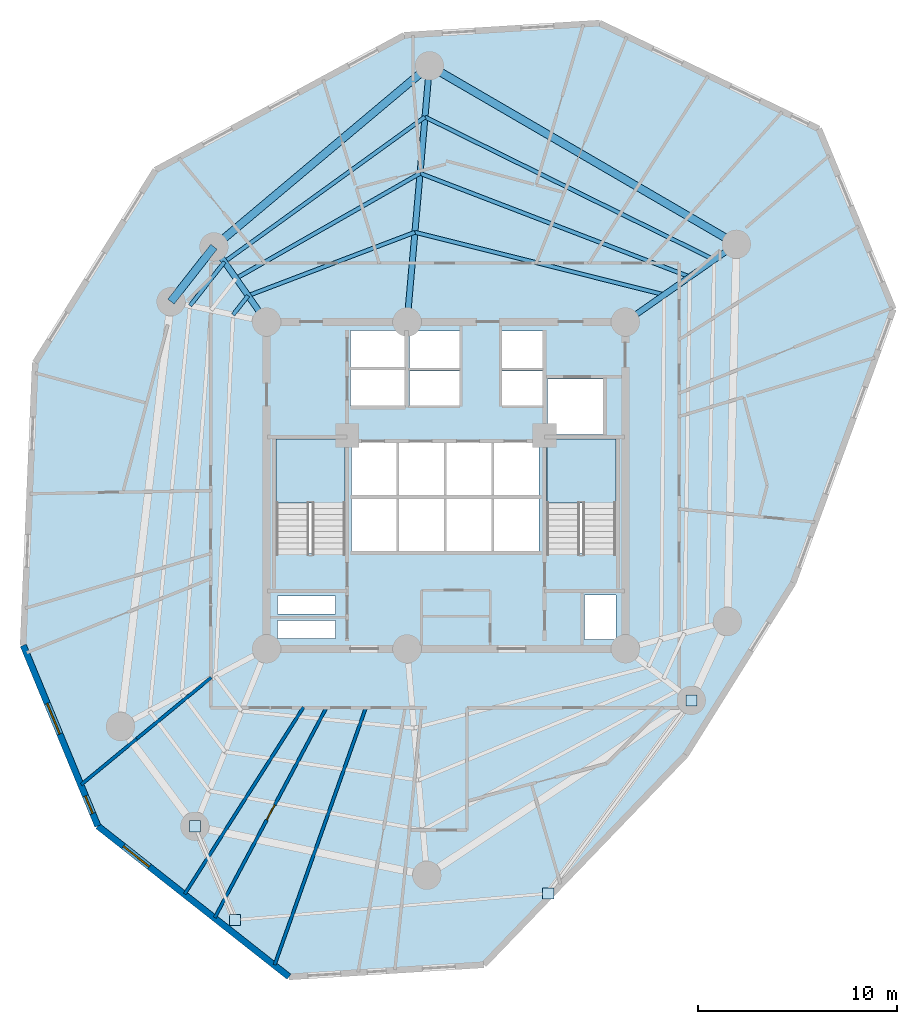
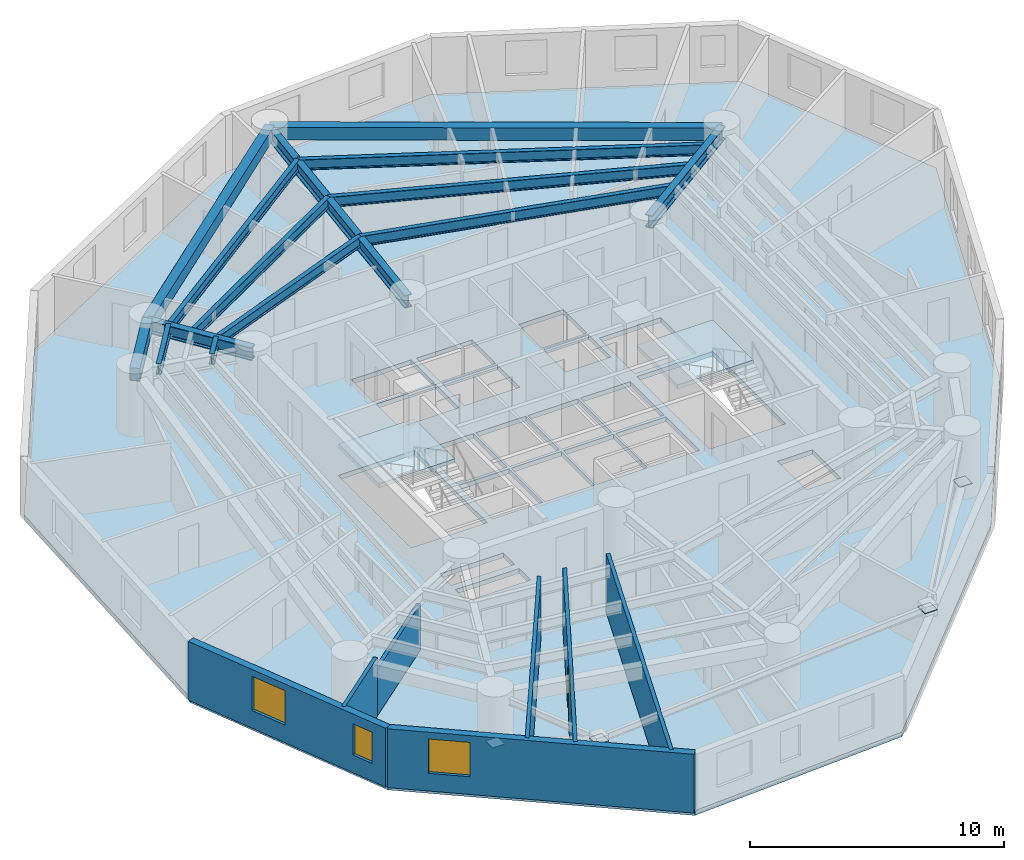
# One storey, part 2 of 8: 14 beams, 7 walls, 4 plates, 3 slabs, 3 windows, 1 door, 4 openings, 2 elements without a shape of their own.
"""IFC4 building model written with IfcOpenShell, lengths in metres."""

from ifc_helpers import new_model, si_unit, direction, frame, frame_2d, origin, origin_with_axes, origin_2d, place, context, subcontext, project, spatial, polyline, rectangle, i_section, outline, extrude, source, transform, mapped, material, layer, layer_set, material_profile, profile_set, type_object, element, fill, aggregate, save


model = new_model("IFC4")

# Units and contexts
model_context = context("Model", 3, precision=1e-05, world=origin(), true_north=direction((0.0, 1.0)))
body_context = subcontext(model_context, "Body", "Model", "MODEL_VIEW")
ifc_project = project(units=[si_unit("LENGTHUNIT", "METRE"), si_unit("AREAUNIT", "SQUARE_METRE"), si_unit("VOLUMEUNIT", "CUBIC_METRE"), si_unit("PLANEANGLEUNIT", "RADIAN"), si_unit("MASSUNIT", "GRAM", prefix="KILO")], contexts=[model_context])

# Site, building, storey
site_placement = place(None, origin())
site = spatial("IfcSite", under=ifc_project, at=site_placement, CompositionType="ELEMENT")
building_placement = place(site_placement, origin())
building = spatial("IfcBuilding", under=site, at=building_placement, Name="Karkom Vertical University and Central Library", CompositionType="ELEMENT")
storey_placement = place(building_placement, frame((0.0, 0.0, 108.39990234375)))
storey = spatial("IfcBuildingStorey", under=building, at=storey_placement, Name="L29", CompositionType="ELEMENT", Elevation=108.39990234375)

# Beams
ifc_material_1 = material(Name="Precast concrete C45/55", Category="concrete")
ifc_material_profile_1 = material_profile(ifc_material_1, rectangle(XDim=0.39990234375, YDim=0.60009765625, at=origin_2d()), Name="SPB-400x600")
ifc_profile_set_1 = profile_set([ifc_material_profile_1], Name="Precast concrete C45/55")
beam_type_1 = type_object("IfcBeamType", Name="STR-BM-SP-1", PredefinedType="SPANDREL", material=ifc_profile_set_1)
shared_shape_1 = source(origin_with_axes(), body_context, "Body", "SweptSolid", [
    extrude(rectangle(XDim=0.39990234375, YDim=0.60009765625, at=origin_2d()), origin(), (0.0, 0.0, 1.0), 17.808837890625),
])
beam_1_placement = place(storey_placement, frame((43.070068359375, 38.60009765625, 2.525146484375), z_axis=(-0.864512866362, 0.502610688202, 0.0), x_axis=(-0.502610688202, -0.864512866362, 0.0)))
element("IfcBeam", 1, at=beam_1_placement, inside=storey, type_object=beam_type_1, Name="Level 29 Perimeter Spandrel Beam 02", PredefinedType="SPANDREL", context=body_context, shape_type="MappedRepresentation", body=[
    mapped(shared_shape_1, transform((0.0, 0.0, 0.0), scale=1.0)),
])
shared_shape_2 = source(origin_with_axes(), body_context, "Body", "SweptSolid", [
    extrude(rectangle(XDim=0.39990234375, YDim=0.60009765625, at=origin_2d()), origin(), (0.0, 0.0, 1.0), 14.120849609375),
])
beam_2_placement = place(storey_placement, frame((27.674072265625, 47.551025390625, 2.525146484375), z_axis=(-0.765672847866, -0.643230199883, 0.0), x_axis=(0.643230199883, -0.765672847866, 0.0)))
element("IfcBeam", 2, at=beam_2_placement, inside=storey, type_object=beam_type_1, Name="Level 29 Perimeter Spandrel Beam 03", PredefinedType="SPANDREL", context=body_context, shape_type="MappedRepresentation", body=[
    mapped(shared_shape_2, transform((0.0, 0.0, 0.0), scale=1.0)),
])
shared_shape_3 = source(origin_with_axes(), body_context, "Body", "SweptSolid", [
    extrude(rectangle(XDim=0.39990234375, YDim=0.60009765625, at=origin_2d()), origin(), (0.0, 0.0, 1.0), 3.492919921875),
])
beam_3_placement = place(storey_placement, frame((16.862060546875, 38.468017578125, 2.525146484375), z_axis=(-0.616950700538, -0.787001799938, 0.0), x_axis=(0.787001799938, -0.616950700538, 0.0)))
element("IfcBeam", 3, at=beam_3_placement, inside=storey, type_object=beam_type_1, Name="Level 29 Perimeter Spandrel Beam 04", PredefinedType="SPANDREL", context=body_context, shape_type="MappedRepresentation", body=[
    mapped(shared_shape_3, transform((0.0, 0.0, 0.0), scale=1.0)),
])
ifc_material_2 = material(Name="Steel S355", Category="steel")
ifc_material_profile_2 = material_profile(ifc_material_2, i_section(OverallWidth=0.199951171875, OverallDepth=0.5, WebThickness=0.01025390625, FlangeThickness=0.01611328125, FilletRadius=0.02099609375, at=origin_2d()), Name="IPE 500")
ifc_profile_set_2 = profile_set([ifc_material_profile_2], Name="Steel S355")
beam_type_2 = type_object("IfcBeamType", Name="STR-BM-SB-IPE500", PredefinedType="BEAM", material=ifc_profile_set_2)
shared_shape_4 = source(origin_with_axes(), body_context, "Body", "SweptSolid", [
    extrude(i_section(OverallWidth=0.199951171875, OverallDepth=0.5, WebThickness=0.01025390625, FlangeThickness=0.01611328125, FilletRadius=0.02099609375, at=origin_2d()), origin(), (0.0, 0.0, 1.0), 12.892578125),
])
beam_4_placement = place(storey_placement, frame((39.449462890625, 36.06494140625, 2.5751953125), z_axis=(-0.970023194321, 0.243012350468, 0.0), x_axis=(-0.243012350468, -0.970023194321, 0.0)))
element("IfcBeam", 4, at=beam_4_placement, inside=storey, type_object=beam_type_2, Name="Level 29 Secondary Composite Floor Beam 1.02", PredefinedType="BEAM", context=body_context, shape_type="MappedRepresentation", body=[
    mapped(shared_shape_4, transform((0.0, 0.0, 0.0), scale=1.0)),
])
shared_shape_5 = source(origin_with_axes(), body_context, "Body", "SweptSolid", [
    extrude(i_section(OverallWidth=0.199951171875, OverallDepth=0.5, WebThickness=0.01025390625, FlangeThickness=0.01611328125, FilletRadius=0.02099609375, at=origin_2d()), origin(), (0.0, 0.0, 1.0), 8.950439453125),
])
beam_5_placement = place(storey_placement, frame((26.943359375, 39.197998046875, 2.5751953125), z_axis=(-0.93478901494, -0.355203459368, 0.0), x_axis=(0.355203459368, -0.93478901494, 0.0)))
element("IfcBeam", 5, at=beam_5_placement, inside=storey, type_object=beam_type_2, Name="Level 29 Secondary Composite Floor Beam 1.03", PredefinedType="BEAM", context=body_context, shape_type="MappedRepresentation", body=[
    mapped(shared_shape_5, transform((0.0, 0.0, 0.0), scale=1.0)),
])
shared_shape_6 = source(origin_with_axes(), body_context, "Body", "SweptSolid", [
    extrude(i_section(OverallWidth=0.199951171875, OverallDepth=0.5, WebThickness=0.01025390625, FlangeThickness=0.01611328125, FilletRadius=0.02099609375, at=origin_2d()), origin(), (0.0, 0.0, 1.0), 1.222412109375),
])
beam_6_placement = place(storey_placement, frame((18.57666015625, 36.018798828125, 2.5751953125), z_axis=(-0.616895037184, -0.787045432677, 0.0), x_axis=(0.787045432677, -0.616895037184, 0.0)))
element("IfcBeam", 6, at=beam_6_placement, inside=storey, type_object=beam_type_2, Name="Level 29 Secondary Composite Floor Beam 1.04", PredefinedType="BEAM", context=body_context, shape_type="MappedRepresentation", body=[
    mapped(shared_shape_6, transform((0.0, 0.0, 0.0), scale=1.0)),
])
shared_shape_7 = source(origin_with_axes(), body_context, "Body", "SweptSolid", [
    extrude(i_section(OverallWidth=0.199951171875, OverallDepth=0.5, WebThickness=0.01025390625, FlangeThickness=0.01611328125, FilletRadius=0.02099609375, at=origin_2d()), origin(), (0.0, 0.0, 1.0), 14.49072265625),
])
beam_7_placement = place(storey_placement, frame((40.730712890625, 36.9619140625, 2.5751953125), z_axis=(-0.93361673171, 0.35827335691, 0.0), x_axis=(-0.35827335691, -0.93361673171, 0.0)))
element("IfcBeam", 7, at=beam_7_placement, inside=storey, type_object=beam_type_2, Name="Level 29 Secondary Composite Floor Beam 2.02", PredefinedType="BEAM", context=body_context, shape_type="MappedRepresentation", body=[
    mapped(shared_shape_7, transform((0.0, 0.0, 0.0), scale=1.0)),
])
shared_shape_8 = source(origin_with_axes(), body_context, "Body", "SweptSolid", [
    extrude(i_section(OverallWidth=0.199951171875, OverallDepth=0.5, WebThickness=0.01025390625, FlangeThickness=0.01611328125, FilletRadius=0.02099609375, at=origin_2d()), origin(), (0.0, 0.0, 1.0), 10.629150390625),
])
beam_8_placement = place(storey_placement, frame((27.201904296875, 42.153564453125, 2.5751953125), z_axis=(-0.868539813491, -0.495619402748, 0.0), x_axis=(0.495619402748, -0.868539813491, 0.0)))
element("IfcBeam", 8, at=beam_8_placement, inside=storey, type_object=beam_type_2, Name="Level 29 Secondary Composite Floor Beam 2.03", PredefinedType="BEAM", context=body_context, shape_type="MappedRepresentation", body=[
    mapped(shared_shape_8, transform((0.0, 0.0, 0.0), scale=1.0)),
])
shared_shape_9 = source(origin_with_axes(), body_context, "Body", "SweptSolid", [
    extrude(i_section(OverallWidth=0.199951171875, OverallDepth=0.5, WebThickness=0.01025390625, FlangeThickness=0.01611328125, FilletRadius=0.02099609375, at=origin_2d()), origin(), (0.0, 0.0, 1.0), 16.177978515625),
])
beam_9_placement = place(storey_placement, frame((41.9560546875, 37.820068359375, 2.5751953125), z_axis=(-0.896709262653, 0.442620038263, 0.0), x_axis=(-0.442620038263, -0.896709262653, 0.0)))
element("IfcBeam", 9, at=beam_9_placement, inside=storey, type_object=beam_type_2, Name="Level 29 Secondary Composite Floor Beam 3.02", PredefinedType="BEAM", context=body_context, shape_type="MappedRepresentation", body=[
    mapped(shared_shape_9, transform((0.0, 0.0, 0.0), scale=1.0)),
])
shared_shape_10 = source(origin_with_axes(), body_context, "Body", "SweptSolid", [
    extrude(i_section(OverallWidth=0.199951171875, OverallDepth=0.5, WebThickness=0.01025390625, FlangeThickness=0.01611328125, FilletRadius=0.02099609375, at=origin_2d()), origin(), (0.0, 0.0, 1.0), 12.409423828125),
])
beam_10_placement = place(storey_placement, frame((27.44921875, 44.980712890625, 2.5751953125), z_axis=(-0.810636686292, -0.585549453793, 0.0), x_axis=(0.585549453793, -0.810636686292, 0.0)))
element("IfcBeam", 10, at=beam_10_placement, inside=storey, type_object=beam_type_2, Name="Level 29 Secondary Composite Floor Beam 3.03", PredefinedType="BEAM", context=body_context, shape_type="MappedRepresentation", body=[
    mapped(shared_shape_10, transform((0.0, 0.0, 0.0), scale=1.0)),
])
shared_shape_11 = source(origin_with_axes(), body_context, "Body", "SweptSolid", [
    extrude(i_section(OverallWidth=0.199951171875, OverallDepth=0.5, WebThickness=0.01025390625, FlangeThickness=0.01611328125, FilletRadius=0.02099609375, at=origin_2d()), origin(), (0.0, 0.0, 1.0), 2.79443359375),
])
beam_11_placement = place(storey_placement, frame((17.3896484375, 37.71435546875, 2.5751953125), z_axis=(-0.616972344898, -0.786984831894, 0.0), x_axis=(0.786984831894, -0.616972344898, 0.0)))
element("IfcBeam", 11, at=beam_11_placement, inside=storey, type_object=beam_type_2, Name="Level 29 Secondary Composite Floor Beam 3.04", PredefinedType="BEAM", context=body_context, shape_type="MappedRepresentation", body=[
    mapped(shared_shape_11, transform((0.0, 0.0, 0.0), scale=1.0)),
])
ifc_material_profile_3 = material_profile(ifc_material_2, i_section(OverallWidth=0.300048828125, OverallDepth=0.60009765625, WebThickness=0.015380859375, FlangeThickness=0.030029296875, FilletRadius=0.027099609375, at=origin_2d()), Name="HE 600 B")
ifc_profile_set_3 = profile_set([ifc_material_profile_3], Name="Steel S355")
beam_type_3 = type_object("IfcBeamType", Name="STR-BM-SB-HE600", PredefinedType="USERDEFINED", material=ifc_profile_set_3)
shared_shape_12 = source(origin_with_axes(), body_context, "Body", "SweptSolid", [
    extrude(i_section(OverallWidth=0.300048828125, OverallDepth=0.60009765625, WebThickness=0.015380859375, FlangeThickness=0.030029296875, FilletRadius=0.027099609375, at=origin_2d()), origin(), (0.0, 0.0, 1.0), 6.7998046875),
])
beam_12_placement = place(storey_placement, frame((37.5, 34.699951171875, 2.525146484375), z_axis=(0.819156008334, 0.573570775066, 0.0), x_axis=(-0.573570775066, 0.819156008334, 0.0)))
element("IfcBeam", 12, at=beam_12_placement, inside=storey, type_object=beam_type_3, Name="Level 29 Radial Frame Girder 02", ObjectType="GIRDER", PredefinedType="USERDEFINED", context=body_context, shape_type="MappedRepresentation", body=[
    mapped(shared_shape_12, transform((0.0, 0.0, 0.0), scale=1.0)),
])
shared_shape_13 = source(origin_with_axes(), body_context, "Body", "SweptSolid", [
    extrude(i_section(OverallWidth=0.300048828125, OverallDepth=0.60009765625, WebThickness=0.015380859375, FlangeThickness=0.030029296875, FilletRadius=0.027099609375, at=origin_2d()), origin(), (0.0, 0.0, 1.0), 12.900146484375),
])
beam_13_placement = place(storey_placement, frame((26.550048828125, 34.699951171875, 2.525146484375), z_axis=(0.087132673751, 0.996196716098, 0.0), x_axis=(-0.996196716098, 0.087132673751, 0.0)))
element("IfcBeam", 13, at=beam_13_placement, inside=storey, type_object=beam_type_3, Name="Level 29 Radial Frame Girder 03", ObjectType="GIRDER", PredefinedType="USERDEFINED", context=body_context, shape_type="MappedRepresentation", body=[
    mapped(shared_shape_13, transform((0.0, 0.0, 0.0), scale=1.0)),
])
shared_shape_14 = source(origin_with_axes(), body_context, "Body", "SweptSolid", [
    extrude(i_section(OverallWidth=0.300048828125, OverallDepth=0.60009765625, WebThickness=0.015380859375, FlangeThickness=0.030029296875, FilletRadius=0.027099609375, at=origin_2d()), origin(), (0.0, 0.0, 1.0), 4.599609375),
])
beam_14_placement = place(storey_placement, frame((19.5, 34.699951171875, 2.525146484375), z_axis=(-0.573505090764, 0.819201996377, 0.0), x_axis=(-0.819201996377, -0.573505090764, 0.0)))
element("IfcBeam", 14, at=beam_14_placement, inside=storey, type_object=beam_type_3, Name="Level 29 Radial Frame Girder 04", ObjectType="GIRDER", PredefinedType="USERDEFINED", context=body_context, shape_type="MappedRepresentation", body=[
    mapped(shared_shape_14, transform((0.0, 0.0, 0.0), scale=1.0)),
])

# Stair, slab
ifc_material_3 = material(Name="Concrete C45/55", Category="concrete")
stair_type = type_object("IfcStairType", Name="INT-STR-ST-MAIN", PredefinedType="HALF_TURN_STAIR", material=ifc_material_3)
stair_1_placement = place(storey_placement, origin())
stair_1 = element("IfcStair", 15, at=stair_1_placement, inside=storey, type_object=stair_type, Name="Level 29 Tower Protected Exit Stair ST-1", PredefinedType="HALF_TURN_STAIR")
ifc_layer_1 = layer(ifc_material_3, 0.199951171875)
ifc_layer_set_1 = layer_set([ifc_layer_1], Name="Concrete C45/55")
slab_type_1 = type_object("IfcSlabType", Name="INT-SLB-LANDING", PredefinedType="LANDING", material=ifc_layer_set_1)
slab_1_placement = place(storey_placement, frame((0.0, 0.0, 1.3251953125)))
slab_1 = element("IfcSlab", 16, at=slab_1_placement, type_object=slab_type_1, Name="ST-1 landing 1", PredefinedType="LANDING", context=body_context, shape_type="SweptSolid", body=[
    extrude(outline(polyline([(23.43994140625, 25.6298828125), (23.43994140625, 28.820068359375), (19.97998046875, 28.820068359375), (19.97998046875, 25.6298828125), (23.43994140625, 25.6298828125)])), origin(), (0.0, 0.0, 1.0), 0.199951171875),
])
aggregate(stair_1, [slab_1])

stair_2_placement = place(storey_placement, origin())
stair_2 = element("IfcStair", 17, at=stair_2_placement, inside=storey, type_object=stair_type, Name="Level 29 Tower Protected Exit Stair ST-2", PredefinedType="HALF_TURN_STAIR")
slab_2_placement = place(storey_placement, frame((0.0, 0.0, 1.3251953125)))
slab_2 = element("IfcSlab", 18, at=slab_2_placement, type_object=slab_type_1, Name="ST-2 landing 1", PredefinedType="LANDING", context=body_context, shape_type="SweptSolid", body=[
    extrude(outline(polyline([(37.02001953125, 25.6298828125), (37.02001953125, 28.820068359375), (33.56005859375, 28.820068359375), (33.56005859375, 25.6298828125), (37.02001953125, 25.6298828125)])), origin(), (0.0, 0.0, 1.0), 0.199951171875),
])
aggregate(stair_2, [slab_2])

# Slab
ifc_layer_2 = layer(ifc_material_3, 0.22509765625)
ifc_layer_set_2 = layer_set([ifc_layer_2], Name="Concrete C45/55")
slab_type_2 = type_object("IfcSlabType", Name="STR-SLB-FLR-225", PredefinedType="FLOOR", material=ifc_layer_set_2)
slab_3_placement = place(storey_placement, frame((0.0, 0.0, -0.224853515625)))
element("IfcSlab", 19, at=slab_3_placement, inside=storey, type_object=slab_type_2, Name="Level 29 Tower Structural Floor Slab", PredefinedType="FLOOR", context=body_context, shape_type="SweptSolid", body=[
    extrude(outline(polyline([(13.93310546875, 42.31298828125), (7.901611328125, 32.66064453125), (7.293701171875, 18.476318359375), (11.037353515625, 9.411865234375), (20.626953125, 1.85009765625), (30.394287109375, 2.45751953125), (40.52978515625, 12.99169921875), (45.914794921875, 21.609619140625), (50.939697265625, 35.337158203125), (47.2041015625, 44.382080078125), (36.20361328125, 49.68603515625), (26.41552734375, 49.077392578125), (13.93310546875, 42.31298828125)]), holes=[polyline([(19.97998046875, 23.0849609375), (23.43994140625, 23.0849609375), (23.43994140625, 28.820068359375), (19.97998046875, 28.820068359375), (19.97998046875, 23.0849609375)]), polyline([(33.56005859375, 23.0849609375), (37.02001953125, 23.0849609375), (37.02001953125, 28.820068359375), (33.56005859375, 28.820068359375), (33.56005859375, 23.0849609375)]), polyline([(23.75, 23.199951171875), (26.030029296875, 23.199951171875), (26.030029296875, 25.85009765625), (23.75, 25.85009765625), (23.75, 23.199951171875)]), polyline([(26.1298828125, 23.199951171875), (28.409912109375, 23.199951171875), (28.409912109375, 25.85009765625), (26.1298828125, 25.85009765625), (26.1298828125, 23.199951171875)]), polyline([(28.510009765625, 23.199951171875), (30.7900390625, 23.199951171875), (30.7900390625, 25.85009765625), (28.510009765625, 25.85009765625), (28.510009765625, 23.199951171875)]), polyline([(30.889892578125, 23.199951171875), (33.169921875, 23.199951171875), (33.169921875, 25.85009765625), (30.889892578125, 25.85009765625), (30.889892578125, 23.199951171875)]), polyline([(23.75, 26.0), (26.030029296875, 26.0), (26.030029296875, 28.64990234375), (23.75, 28.64990234375), (23.75, 26.0)]), polyline([(26.1298828125, 26.0), (28.409912109375, 26.0), (28.409912109375, 28.64990234375), (26.1298828125, 28.64990234375), (26.1298828125, 26.0)]), polyline([(28.510009765625, 26.0), (30.7900390625, 26.0), (30.7900390625, 28.64990234375), (28.510009765625, 28.64990234375), (28.510009765625, 26.0)]), polyline([(30.889892578125, 26.0), (33.169921875, 26.0), (33.169921875, 28.64990234375), (30.889892578125, 28.64990234375), (30.889892578125, 26.0)]), polyline([(26.679931640625, 30.5), (29.199951171875, 30.5), (29.199951171875, 32.25), (26.679931640625, 32.25), (26.679931640625, 30.5)]), polyline([(26.679931640625, 32.39990234375), (29.199951171875, 32.39990234375), (29.199951171875, 34.25), (26.679931640625, 34.25), (26.679931640625, 32.39990234375)]), polyline([(31.300048828125, 30.5), (33.35009765625, 30.5), (33.35009765625, 32.25), (31.300048828125, 32.25), (31.300048828125, 30.5)]), polyline([(31.300048828125, 32.39990234375), (33.35009765625, 32.39990234375), (33.35009765625, 34.25), (31.300048828125, 34.25), (31.300048828125, 32.39990234375)]), polyline([(23.719970703125, 30.47998046875), (26.429931640625, 30.47998046875), (26.429931640625, 32.320068359375), (23.719970703125, 32.320068359375), (23.719970703125, 30.47998046875)]), polyline([(23.719970703125, 32.419921875), (26.429931640625, 32.419921875), (26.429931640625, 34.260009765625), (23.719970703125, 34.260009765625), (23.719970703125, 32.419921875)]), polyline([(33.60009765625, 29.050048828125), (36.39990234375, 29.050048828125), (36.39990234375, 31.85009765625), (33.60009765625, 31.85009765625), (33.60009765625, 29.050048828125)]), polyline([(20.050048828125, 18.820068359375), (22.949951171875, 18.820068359375), (22.949951171875, 19.719970703125), (20.050048828125, 19.719970703125), (20.050048828125, 18.820068359375)]), polyline([(20.050048828125, 20.06005859375), (22.949951171875, 20.06005859375), (22.949951171875, 20.9599609375), (20.050048828125, 20.9599609375), (20.050048828125, 20.06005859375)]), polyline([(35.4599609375, 18.760009765625), (37.0400390625, 18.760009765625), (37.0400390625, 21.010009765625), (35.4599609375, 21.010009765625), (35.4599609375, 18.760009765625)])]), origin(), (0.0, 0.0, 1.0), 0.224853515625),
])

# Plates
ifc_layer_3 = layer(ifc_material_2, 0.028076171875)
ifc_layer_set_3 = layer_set([ifc_layer_3], Name="Steel S355")
plate_type = type_object("IfcPlateType", Name="STR-PLT-GP-2", PredefinedType="USERDEFINED", material=ifc_layer_set_3)
shared_shape_15 = source(origin_with_axes(), body_context, "Body", "SweptSolid", [
    extrude(rectangle(XDim=0.56005859375, YDim=0.56005859375, at=origin_2d()), origin(), (0.0, 0.0, 1.0), 0.028076171875),
])
for number, where, z_axis, x_axis, name in (
    (20, (15.904052734375, 9.39892578125, 0.3359375), (0.0, 0.0, 1.0), (1.0, 0.0, 0.0), "Level 29 Node Gusset Cap Plate L29-SKG-KNEE-1 A"),
    (21, (17.912353515625, 4.699951171875, 2.64599609375), (0.0, 0.0, 1.0), (1.0, 0.0, 0.0), "Level 29 Node Gusset Cap Plate L29-SKG-KNEE-1 B"),
    (22, (40.81005859375, 15.714111328125, 0.3359375), (0.0, 0.0, 1.0), (1.0, 0.0, 0.0), "Level 29 Node Gusset Cap Plate L29-SKG-KNEE-2 A"),
    (23, (33.62939453125, 6.027587890625, 2.64599609375), (0.0, 0.0, 1.0), (1.0, 0.0, 0.0), "Level 29 Node Gusset Cap Plate L29-SKG-KNEE-2 B"),
):
    element("IfcPlate", number, at=place(storey_placement, frame(where, z_axis=z_axis, x_axis=x_axis)), inside=storey, type_object=plate_type, Name=name, ObjectType="GUSSET PLATE", PredefinedType="USERDEFINED", context=body_context, shape_type="MappedRepresentation", body=[
        mapped(shared_shape_15, transform((0.0, 0.0, 0.0), scale=1.0)),
    ])

# Wall, openings, windows
ifc_material_4 = material(Name="Brick-faced precast concrete C45/55", Category="masonry")
ifc_layer_4 = layer(ifc_material_4, 0.320068359375)
ifc_layer_set_4 = layer_set([ifc_layer_4], Name="Brick-faced precast concrete C45/55")
wall_type_1 = type_object("IfcWallType", Name="ENV-WL-BRK-320", PredefinedType="SOLIDWALL", material=ifc_layer_set_4)
wall_1_placement = place(storey_placement, frame((7.293701171875, 18.476318359375, 0.0), z_axis=(0.0, 0.0, 1.0), x_axis=(0.38172871727, -0.924274410774, 0.0)))
wall_1 = element("IfcWall", 24, at=wall_1_placement, inside=storey, type_object=wall_type_1, Name="Level 29 Brick-Faced Precast Facade Wall 03", PredefinedType="SOLIDWALL", context=body_context, shape_type="SweptSolid", body=[
    extrude(rectangle(XDim=9.80712890625, YDim=0.320068359375, at=frame_2d((4.903564453125, 0.0))), origin(), (0.0, 0.0, 1.0), 2.8251953125),
])
opening_1_placement = place(wall_1_placement, frame((3.15673828125, 0.0, 0.85009765625)))
opening_1 = element("IfcOpeningElement", 25, at=opening_1_placement, cuts=wall_1, Name="Opening WN-06", PredefinedType="OPENING", context=body_context, shape_type="SweptSolid", body=[
    extrude(rectangle(XDim=1.64990234375, YDim=1.64990234375, at=frame_2d((0.824951171875, 0.824951171875))), frame((0.0, 0.169921875, 0.0), z_axis=(0.0, -1.0, 0.0), x_axis=(1.0, 0.0, 0.0)), (0.0, 0.0, 1.0), 0.340087890625),
])
opening_2_placement = place(wall_1_placement, frame((8.175537109375, 0.0, 0.85009765625)))
opening_2 = element("IfcOpeningElement", 26, at=opening_2_placement, cuts=wall_1, Name="Opening WN-12", PredefinedType="OPENING", context=body_context, shape_type="SweptSolid", body=[
    extrude(rectangle(XDim=0.949951171875, YDim=1.5, at=frame_2d((0.47509765625, 0.75))), frame((0.0, 0.169921875, 0.0), z_axis=(0.0, -1.0, 0.0), x_axis=(1.0, 0.0, 0.0)), (0.0, 0.0, 1.0), 0.340087890625),
])
ifc_material_5 = material(Name="Aluminium thermal-break frame with solar-control IGU", Category="aluminium")
window_type_1 = type_object("IfcWindowType", Name="ENV-WIN-WN-06", PartitioningType="SINGLE_PANEL", PredefinedType="WINDOW", material=ifc_material_5)
shared_shape_16 = source(origin_with_axes(), body_context, "Body", "SweptSolid", [
    extrude(rectangle(XDim=1.64990234375, YDim=1.64990234375, at=frame_2d((0.824951171875, 0.824951171875))), frame((0.0, 0.030029296875, 0.0), z_axis=(0.0, -1.0, 0.0), x_axis=(1.0, 0.0, 0.0)), (0.0, 0.0, 1.0), 0.06005859375),
])
window_1_placement = place(opening_1_placement, origin())
window_1 = element("IfcWindow", 27, at=window_1_placement, inside=storey, type_object=window_type_1, Name="Level 29 Punched Window 3.1", OverallHeight=1.64990234375, OverallWidth=1.64990234375, PartitioningType="SINGLE_PANEL", PredefinedType="WINDOW", context=body_context, shape_type="MappedRepresentation", body=[
    mapped(shared_shape_16, transform((0.0, 0.0, 0.0), scale=1.0)),
])
fill(opening_1, window_1)
window_type_2 = type_object("IfcWindowType", Name="ENV-WIN-WN-12", PartitioningType="SINGLE_PANEL", PredefinedType="WINDOW", material=ifc_material_5)
shared_shape_17 = source(origin_with_axes(), body_context, "Body", "SweptSolid", [
    extrude(rectangle(XDim=0.949951171875, YDim=1.5, at=frame_2d((0.47509765625, 0.75))), frame((0.0, 0.030029296875, 0.0), z_axis=(0.0, -1.0, 0.0), x_axis=(1.0, 0.0, 0.0)), (0.0, 0.0, 1.0), 0.06005859375),
])
window_2_placement = place(opening_2_placement, origin())
window_2 = element("IfcWindow", 28, at=window_2_placement, inside=storey, type_object=window_type_2, Name="Level 29 Punched Window 3.2", OverallHeight=1.5, OverallWidth=0.949951171875, PartitioningType="SINGLE_PANEL", PredefinedType="WINDOW", context=body_context, shape_type="MappedRepresentation", body=[
    mapped(shared_shape_17, transform((0.0, 0.0, 0.0), scale=1.0)),
])
fill(opening_2, window_2)

# Wall, opening, window
wall_2_placement = place(storey_placement, frame((11.037353515625, 9.411865234375, 0.0), z_axis=(0.0, 0.0, 1.0), x_axis=(0.78523981828, -0.619191753649, 0.0)))
wall_2 = element("IfcWall", 29, at=wall_2_placement, inside=storey, type_object=wall_type_1, Name="Level 29 Brick-Faced Precast Facade Wall 04", PredefinedType="SOLIDWALL", context=body_context, shape_type="SweptSolid", body=[
    extrude(rectangle(XDim=12.21240234375, YDim=0.320068359375, at=frame_2d((6.106201171875, 0.0))), origin(), (0.0, 0.0, 1.0), 2.8251953125),
])
opening_3_placement = place(wall_2_placement, frame((1.638427734375, 0.0, 0.85009765625)))
opening_3 = element("IfcOpeningElement", 30, at=opening_3_placement, cuts=wall_2, Name="Opening WN-06", PredefinedType="OPENING", context=body_context, shape_type="SweptSolid", body=[
    extrude(rectangle(XDim=1.64990234375, YDim=1.64990234375, at=frame_2d((0.824951171875, 0.824951171875))), frame((0.0, 0.169921875, 0.0), z_axis=(0.0, -1.0, 0.0), x_axis=(1.0, 0.0, 0.0)), (0.0, 0.0, 1.0), 0.340087890625),
])
window_3_placement = place(opening_3_placement, origin())
window_3 = element("IfcWindow", 31, at=window_3_placement, inside=storey, type_object=window_type_1, Name="Level 29 Punched Window 4.1", OverallHeight=1.64990234375, OverallWidth=1.64990234375, PartitioningType="SINGLE_PANEL", PredefinedType="WINDOW", context=body_context, shape_type="MappedRepresentation", body=[
    mapped(shared_shape_16, transform((0.0, 0.0, 0.0), scale=1.0)),
])
fill(opening_3, window_3)

# Wall
ifc_material_6 = material(Name="Insulated metal-stud drywall 160mm", Category="gypsum")
ifc_layer_5 = layer(ifc_material_6, 0.159912109375)
ifc_layer_set_5 = layer_set([ifc_layer_5], Name="Insulated metal-stud drywall 160mm")
wall_type_2 = type_object("IfcWallType", Name="INT-WL-COR-160", PredefinedType="PARTITIONING", material=ifc_layer_set_5)
wall_3_placement = place(storey_placement, frame((24.4921875, 15.37841796875, 0.0), z_axis=(0.0, 0.0, 1.0), x_axis=(-0.33423234584, -0.942490710296, 0.0)))
element("IfcWall", 32, at=wall_3_placement, inside=storey, type_object=wall_type_2, Name="Level 29 Interior Partition Wall L29-PW-009", PredefinedType="PARTITIONING", context=body_context, shape_type="SweptSolid", body=[
    extrude(rectangle(XDim=13.714111328125, YDim=0.159912109375, at=frame_2d((6.85693359375, 0.0))), origin(), (0.0, 0.0, 1.0), 2.8251953125),
])

# Wall, opening, door
wall_4_placement = place(storey_placement, frame((22.517578125, 15.37646484375, 0.0), z_axis=(0.0, 0.0, 1.0), x_axis=(-0.469467700152, -0.882949646647, 0.0)))
wall_4 = element("IfcWall", 33, at=wall_4_placement, inside=storey, type_object=wall_type_2, Name="Level 29 Interior Partition Wall L29-PW-008", PredefinedType="PARTITIONING", context=body_context, shape_type="SweptSolid", body=[
    extrude(rectangle(XDim=11.957275390625, YDim=0.159912109375, at=frame_2d((5.978515625, 0.0))), origin(), (0.0, 0.0, 1.0), 2.8251953125),
])
opening_4_placement = place(wall_4_placement, frame((5.548583984375, 0.0, 0.0)))
opening_4 = element("IfcOpeningElement", 34, at=opening_4_placement, cuts=wall_4, Name="Opening FD-BTH2", PredefinedType="OPENING", context=body_context, shape_type="SweptSolid", body=[
    extrude(rectangle(XDim=0.860107421875, YDim=2.0400390625, at=frame_2d((0.43017578125, 1.02001953125))), frame((0.0, 0.08984375, 0.0), z_axis=(0.0, -1.0, 0.0), x_axis=(1.0, 0.0, 0.0)), (0.0, 0.0, 1.0), 0.179931640625),
])
ifc_material_7 = material(Name="Fire-rated moisture-resistant oak door", Category="wood")
door_type = type_object("IfcDoorType", Name="INT-DR-FBTH2", OperationType="NOTDEFINED", PredefinedType="DOOR", material=ifc_material_7)
shared_shape_18 = source(origin_with_axes(), body_context, "Body", "SweptSolid", [
    extrude(rectangle(XDim=0.860107421875, YDim=2.0400390625, at=frame_2d((0.43017578125, 1.02001953125))), frame((0.0, 0.02490234375, 0.0), z_axis=(0.0, -1.0, 0.0), x_axis=(1.0, 0.0, 0.0)), (0.0, 0.0, 1.0), 0.050048828125),
])
door_placement = place(opening_4_placement, origin())
door = element("IfcDoor", 35, at=door_placement, inside=storey, type_object=door_type, Name="Level 29 Departmental Reference Reading Library Entry Door", OperationType="SINGLE_SWING_RIGHT", OverallHeight=2.0400390625, OverallWidth=0.860107421875, PredefinedType="DOOR", context=body_context, shape_type="MappedRepresentation", body=[
    mapped(shared_shape_18, transform((0.0, 0.0, 0.0), scale=1.0)),
])
fill(opening_4, door)

# Walls
wall_5_placement = place(storey_placement, frame((21.35546875, 15.375244140625, 0.0), z_axis=(0.0, 0.0, 1.0), x_axis=(-0.536556753915, -0.843864236609, 0.0)))
element("IfcWall", 36, at=wall_5_placement, inside=storey, type_object=wall_type_2, Name="Level 29 Interior Partition Wall L29-PW-007", PredefinedType="PARTITIONING", context=body_context, shape_type="SweptSolid", body=[
    extrude(rectangle(XDim=11.103271484375, YDim=0.159912109375, at=frame_2d((5.5517578125, 0.0))), origin(), (0.0, 0.0, 1.0), 2.8251953125),
])
wall_6_placement = place(storey_placement, frame((16.72314453125, 16.867919921875, 0.0), z_axis=(0.0, 0.0, 1.0), x_axis=(-0.771583274117, -0.636128329115, 0.0)))
element("IfcWall", 37, at=wall_6_placement, inside=storey, type_object=wall_type_2, Name="Level 29 Interior Partition Wall L29-PW-006", PredefinedType="PARTITIONING", context=body_context, shape_type="SweptSolid", body=[
    extrude(rectangle(XDim=4.835693359375, YDim=0.159912109375, at=frame_2d((2.41796875, 0.0))), origin(), (0.0, 0.0, 1.0), 2.22509765625),
])
wall_7_placement = place(storey_placement, frame((12.988037109375, 13.78857421875, 0.0), z_axis=(0.0, 0.0, 1.0), x_axis=(-0.771520149299, -0.636204887773, 0.0)))
element("IfcWall", 38, at=wall_7_placement, inside=storey, type_object=wall_type_2, Name="Level 29 Interior Partition Wall L29-PW-005", PredefinedType="PARTITIONING", context=body_context, shape_type="SweptSolid", body=[
    extrude(rectangle(XDim=3.6103515625, YDim=0.159912109375, at=frame_2d((1.80517578125, 0.0))), origin(), (0.0, 0.0, 1.0), 2.8251953125),
])

save(model, "model.ifc")
